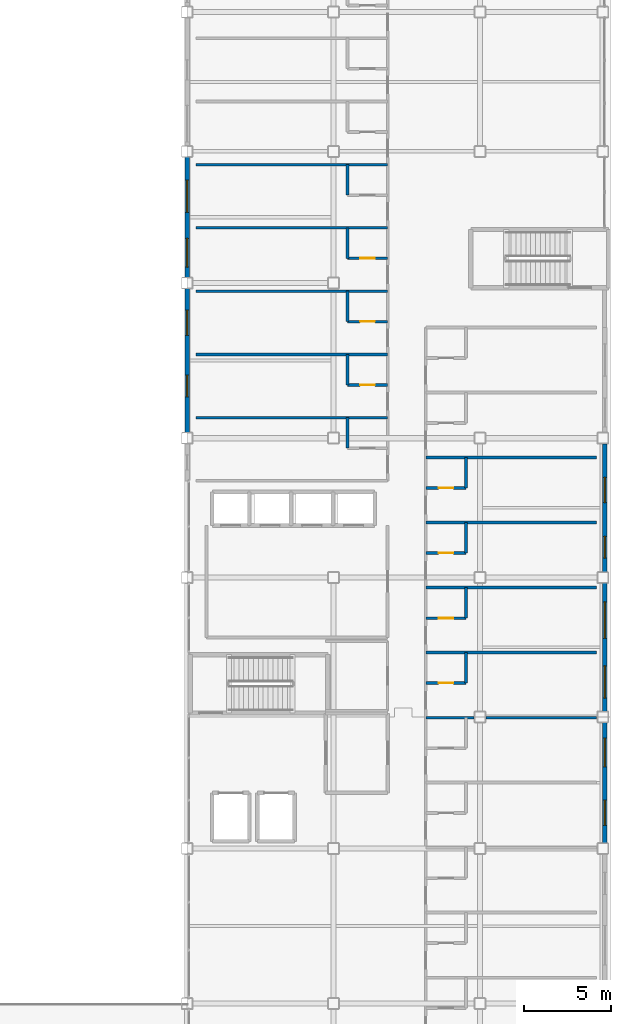
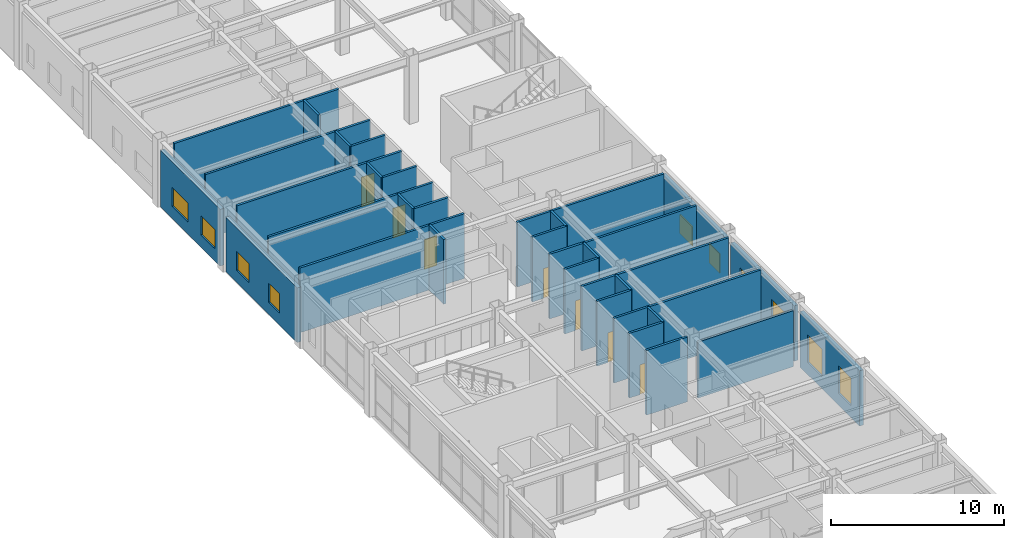
# One storey, part 53 of 61: 32 walls, 10 windows, 7 doors, 17 openings.
"""IFC4 building model written with IfcOpenShell, lengths in metres."""

from ifc_helpers import new_model, si_unit, direction, frame, frame_2d, origin, place, context, subcontext, project, spatial, rectangle, extrude, material, layer, layer_set, type_object, element, fill, save


model = new_model("IFC4")

# Units and contexts
model_context = context("Model", 3, precision=1e-05, world=origin(), true_north=direction((0.0, 1.0)))
body_context = subcontext(model_context, "Body", "Model", "MODEL_VIEW")
ifc_project = project(units=[si_unit("LENGTHUNIT", "METRE"), si_unit("AREAUNIT", "SQUARE_METRE"), si_unit("VOLUMEUNIT", "CUBIC_METRE"), si_unit("PLANEANGLEUNIT", "RADIAN"), si_unit("MASSUNIT", "GRAM", prefix="KILO")], contexts=[model_context])

# Site, building, storey
site_placement = place(None, origin())
site = spatial("IfcSite", under=ifc_project, at=site_placement, CompositionType="ELEMENT")
building_placement = place(site_placement, origin())
building = spatial("IfcBuilding", under=site, at=building_placement, Name="Kazehara Bluff Congress Hotel", CompositionType="ELEMENT")
storey_placement = place(building_placement, frame((0.0, 0.0, 19.800048828125)))
storey = spatial("IfcBuildingStorey", under=building, at=storey_placement, Name="L04", CompositionType="ELEMENT", Elevation=19.800048828125)

# Wall, openings, windows
ifc_material_1 = material(Name="Precast concrete C40/50", Category="concrete")
ifc_layer_1 = layer(ifc_material_1, 0.260009765625)
ifc_layer_set_1 = layer_set([ifc_layer_1], Name="Precast concrete C40/50")
wall_type_1 = type_object("IfcWallType", Name="TP-EW-260", PredefinedType="SOLIDWALL", material=ifc_layer_set_1)
wall_1_placement = place(storey_placement, frame((167.64990234375, 48.125, 0.0), z_axis=(0.0, 0.0, 1.0), x_axis=(0.0, -1.0, 0.0)))
wall_1 = element("IfcWall", 1, at=wall_1_placement, inside=storey, type_object=wall_type_1, Name="L04 hotel facade panel 29", PredefinedType="SOLIDWALL", context=body_context, shape_type="SweptSolid", body=[
    extrude(rectangle(XDim=6.89990234375, YDim=0.260009765625, at=frame_2d((3.449951171875, 0.0))), origin(), (0.0, 0.0, 1.0), 3.905029296875),
])
opening_1_placement = place(wall_1_placement, frame((4.445068359375, 0.0, 0.85009765625)))
opening_1 = element("IfcOpeningElement", 2, at=opening_1_placement, cuts=wall_1, Name="Opening WN-20", PredefinedType="OPENING", context=body_context, shape_type="SweptSolid", body=[
    extrude(rectangle(XDim=1.449951171875, YDim=1.949951171875, at=frame_2d((0.72509765625, 0.97509765625))), frame((0.0, 0.139892578125, 0.0), z_axis=(0.0, -1.0, 0.0), x_axis=(1.0, 0.0, 0.0)), (0.0, 0.0, 1.0), 0.280029296875),
])
opening_2_placement = place(wall_1_placement, frame((0.89501953125, 0.0, 0.85009765625)))
opening_2 = element("IfcOpeningElement", 3, at=opening_2_placement, cuts=wall_1, Name="Opening WN-30", PredefinedType="OPENING", context=body_context, shape_type="SweptSolid", body=[
    extrude(rectangle(XDim=1.64990234375, YDim=1.949951171875, at=frame_2d((0.824951171875, 0.97509765625))), frame((0.0, 0.139892578125, 0.0), z_axis=(0.0, -1.0, 0.0), x_axis=(1.0, 0.0, 0.0)), (0.0, 0.0, 1.0), 0.280029296875),
])
ifc_material_2 = material(Name="Insulated low-E double glazing", Category="glass")
window_type_1 = type_object("IfcWindowType", Name="TP-WN-20", PartitioningType="SINGLE_PANEL", PredefinedType="WINDOW", material=ifc_material_2)
window_1_placement = place(opening_1_placement, origin())
window_1 = element("IfcWindow", 4, at=window_1_placement, inside=storey, type_object=window_type_1, Name="L04 guestroom window WN-20 41", OverallHeight=1.949951171875, OverallWidth=1.449951171875, PartitioningType="SINGLE_PANEL", PredefinedType="WINDOW", context=body_context, shape_type="SweptSolid", body=[
    extrude(rectangle(XDim=1.449951171875, YDim=1.949951171875, at=frame_2d((0.72509765625, 0.97509765625))), frame((0.0, 0.030029296875, 0.0), z_axis=(0.0, -1.0, 0.0), x_axis=(1.0, 0.0, 0.0)), (0.0, 0.0, 1.0), 0.06005859375),
])
fill(opening_1, window_1)
ifc_material_3 = material(Name="Insulated low-E double glazing", Category="glass")
window_type_2 = type_object("IfcWindowType", Name="TP-WN-30", PartitioningType="SINGLE_PANEL", PredefinedType="WINDOW", material=ifc_material_3)
window_2_placement = place(opening_2_placement, origin())
window_2 = element("IfcWindow", 5, at=window_2_placement, inside=storey, type_object=window_type_2, Name="L04 guestroom window WN-30 42", OverallHeight=1.949951171875, OverallWidth=1.64990234375, PartitioningType="SINGLE_PANEL", PredefinedType="WINDOW", context=body_context, shape_type="SweptSolid", body=[
    extrude(rectangle(XDim=1.64990234375, YDim=1.949951171875, at=frame_2d((0.824951171875, 0.97509765625))), frame((0.0, 0.030029296875, 0.0), z_axis=(0.0, -1.0, 0.0), x_axis=(1.0, 0.0, 0.0)), (0.0, 0.0, 1.0), 0.06005859375),
])
fill(opening_2, window_2)

wall_2_placement = place(storey_placement, frame((167.64990234375, 56.125, 0.0), z_axis=(0.0, 0.0, 1.0), x_axis=(0.0, -1.0, 0.0)))
wall_2 = element("IfcWall", 6, at=wall_2_placement, inside=storey, type_object=wall_type_1, Name="L04 hotel facade panel 30", PredefinedType="SOLIDWALL", context=body_context, shape_type="SweptSolid", body=[
    extrude(rectangle(XDim=7.35009765625, YDim=0.260009765625, at=frame_2d((3.675048828125, 0.0))), origin(), (0.0, 0.0, 1.0), 3.905029296875),
])
opening_3_placement = place(wall_2_placement, frame((4.739990234375, 0.0, 0.85009765625)))
opening_3 = element("IfcOpeningElement", 7, at=opening_3_placement, cuts=wall_2, Name="Opening WN-40", PredefinedType="OPENING", context=body_context, shape_type="SweptSolid", body=[
    extrude(rectangle(XDim=1.85009765625, YDim=1.949951171875, at=frame_2d((0.925048828125, 0.97509765625))), frame((0.0, 0.139892578125, 0.0), z_axis=(0.0, -1.0, 0.0), x_axis=(1.0, 0.0, 0.0)), (0.0, 0.0, 1.0), 0.280029296875),
])
opening_4_placement = place(wall_2_placement, frame((1.06494140625, 0.0, 0.85009765625)))
opening_4 = element("IfcOpeningElement", 8, at=opening_4_placement, cuts=wall_2, Name="Opening WN-50", PredefinedType="OPENING", context=body_context, shape_type="SweptSolid", body=[
    extrude(rectangle(XDim=2.10009765625, YDim=1.949951171875, at=frame_2d((1.050048828125, 0.97509765625))), frame((0.0, 0.139892578125, 0.0), z_axis=(0.0, -1.0, 0.0), x_axis=(1.0, 0.0, 0.0)), (0.0, 0.0, 1.0), 0.280029296875),
])
ifc_material_4 = material(Name="Insulated low-E double glazing", Category="glass")
window_type_3 = type_object("IfcWindowType", Name="TP-WN-40", PartitioningType="DOUBLE_PANEL_VERTICAL", PredefinedType="WINDOW", material=ifc_material_4)
window_3_placement = place(opening_3_placement, origin())
window_3 = element("IfcWindow", 9, at=window_3_placement, inside=storey, type_object=window_type_3, Name="L04 guestroom window WN-40 43", OverallHeight=1.949951171875, OverallWidth=1.85009765625, PartitioningType="SINGLE_PANEL", PredefinedType="WINDOW", context=body_context, shape_type="SweptSolid", body=[
    extrude(rectangle(XDim=1.85009765625, YDim=1.949951171875, at=frame_2d((0.925048828125, 0.97509765625))), frame((0.0, 0.030029296875, 0.0), z_axis=(0.0, -1.0, 0.0), x_axis=(1.0, 0.0, 0.0)), (0.0, 0.0, 1.0), 0.06005859375),
])
fill(opening_3, window_3)
ifc_material_5 = material(Name="Insulated low-E double glazing", Category="glass")
window_type_4 = type_object("IfcWindowType", Name="TP-WN-50", PartitioningType="DOUBLE_PANEL_VERTICAL", PredefinedType="WINDOW", material=ifc_material_5)
window_4_placement = place(opening_4_placement, origin())
window_4 = element("IfcWindow", 10, at=window_4_placement, inside=storey, type_object=window_type_4, Name="L04 guestroom window WN-50 44", OverallHeight=1.949951171875, OverallWidth=2.10009765625, PartitioningType="SINGLE_PANEL", PredefinedType="WINDOW", context=body_context, shape_type="SweptSolid", body=[
    extrude(rectangle(XDim=2.10009765625, YDim=1.949951171875, at=frame_2d((1.050048828125, 0.97509765625))), frame((0.0, 0.030029296875, 0.0), z_axis=(0.0, -1.0, 0.0), x_axis=(1.0, 0.0, 0.0)), (0.0, 0.0, 1.0), 0.06005859375),
])
fill(opening_4, window_4)

wall_3_placement = place(storey_placement, frame((167.64990234375, 64.125, 0.0), z_axis=(0.0, 0.0, 1.0), x_axis=(0.0, -1.0, 0.0)))
wall_3 = element("IfcWall", 11, at=wall_3_placement, inside=storey, type_object=wall_type_1, Name="L04 hotel facade panel 31", PredefinedType="SOLIDWALL", context=body_context, shape_type="SweptSolid", body=[
    extrude(rectangle(XDim=7.35009765625, YDim=0.260009765625, at=frame_2d((3.675048828125, 0.0))), origin(), (0.0, 0.0, 1.0), 3.905029296875),
])
opening_5_placement = place(wall_3_placement, frame((5.31005859375, 0.0, 0.85009765625)))
opening_5 = element("IfcOpeningElement", 12, at=opening_5_placement, cuts=wall_3, Name="Opening WN-06", PredefinedType="OPENING", context=body_context, shape_type="SweptSolid", body=[
    extrude(rectangle(XDim=1.25, YDim=1.35009765625, at=frame_2d((0.625, 0.675048828125))), frame((0.0, 0.139892578125, 0.0), z_axis=(0.0, -1.0, 0.0), x_axis=(1.0, 0.0, 0.0)), (0.0, 0.0, 1.0), 0.280029296875),
])
opening_6_placement = place(wall_3_placement, frame((1.925048828125, 0.0, 0.85009765625)))
opening_6 = element("IfcOpeningElement", 13, at=opening_6_placement, cuts=wall_3, Name="Opening WN-16", PredefinedType="OPENING", context=body_context, shape_type="SweptSolid", body=[
    extrude(rectangle(XDim=1.449951171875, YDim=1.35009765625, at=frame_2d((0.72509765625, 0.675048828125))), frame((0.0, 0.139892578125, 0.0), z_axis=(0.0, -1.0, 0.0), x_axis=(1.0, 0.0, 0.0)), (0.0, 0.0, 1.0), 0.280029296875),
])
ifc_material_6 = material(Name="Insulated low-E double glazing", Category="glass")
window_type_5 = type_object("IfcWindowType", Name="TP-WN-06", PartitioningType="SINGLE_PANEL", PredefinedType="WINDOW", material=ifc_material_6)
window_5_placement = place(opening_5_placement, origin())
window_5 = element("IfcWindow", 14, at=window_5_placement, inside=storey, type_object=window_type_5, Name="L04 guestroom window WN-06 45", OverallHeight=1.35009765625, OverallWidth=1.25, PartitioningType="SINGLE_PANEL", PredefinedType="WINDOW", context=body_context, shape_type="SweptSolid", body=[
    extrude(rectangle(XDim=1.25, YDim=1.35009765625, at=frame_2d((0.625, 0.675048828125))), frame((0.0, 0.030029296875, 0.0), z_axis=(0.0, -1.0, 0.0), x_axis=(1.0, 0.0, 0.0)), (0.0, 0.0, 1.0), 0.06005859375),
])
fill(opening_5, window_5)
ifc_material_7 = material(Name="Insulated low-E double glazing", Category="glass")
window_type_6 = type_object("IfcWindowType", Name="TP-WN-16", PartitioningType="SINGLE_PANEL", PredefinedType="WINDOW", material=ifc_material_7)
window_6_placement = place(opening_6_placement, origin())
window_6 = element("IfcWindow", 15, at=window_6_placement, inside=storey, type_object=window_type_6, Name="L04 guestroom window WN-16 46", OverallHeight=1.35009765625, OverallWidth=1.449951171875, PartitioningType="SINGLE_PANEL", PredefinedType="WINDOW", context=body_context, shape_type="SweptSolid", body=[
    extrude(rectangle(XDim=1.449951171875, YDim=1.35009765625, at=frame_2d((0.72509765625, 0.675048828125))), frame((0.0, 0.030029296875, 0.0), z_axis=(0.0, -1.0, 0.0), x_axis=(1.0, 0.0, 0.0)), (0.0, 0.0, 1.0), 0.06005859375),
])
fill(opening_6, window_6)

wall_4_placement = place(storey_placement, frame((143.699951171875, 64.77490234375, 0.0), z_axis=(0.0, 0.0, 1.0), x_axis=(0.0, 1.0, 0.0)))
wall_4 = element("IfcWall", 16, at=wall_4_placement, inside=storey, type_object=wall_type_1, Name="L04 hotel facade panel 36", PredefinedType="SOLIDWALL", context=body_context, shape_type="SweptSolid", body=[
    extrude(rectangle(XDim=8.25, YDim=0.260009765625, at=frame_2d((4.125, 0.0))), origin(), (0.0, 0.0, 1.0), 3.85498046875),
])
opening_7_placement = place(wall_4_placement, frame((2.0400390625, 0.0, 0.85009765625)))
opening_7 = element("IfcOpeningElement", 17, at=opening_7_placement, cuts=wall_4, Name="Opening WN-06", PredefinedType="OPENING", context=body_context, shape_type="SweptSolid", body=[
    extrude(rectangle(XDim=1.25, YDim=1.35009765625, at=frame_2d((0.625, 0.675048828125))), frame((0.0, 0.139892578125, 0.0), z_axis=(0.0, -1.0, 0.0), x_axis=(1.0, 0.0, 0.0)), (0.0, 0.0, 1.0), 0.280029296875),
])
opening_8_placement = place(wall_4_placement, frame((5.570068359375, 0.0, 0.85009765625)))
opening_8 = element("IfcOpeningElement", 18, at=opening_8_placement, cuts=wall_4, Name="Opening WN-16", PredefinedType="OPENING", context=body_context, shape_type="SweptSolid", body=[
    extrude(rectangle(XDim=1.449951171875, YDim=1.35009765625, at=frame_2d((0.72509765625, 0.675048828125))), frame((0.0, 0.139892578125, 0.0), z_axis=(0.0, -1.0, 0.0), x_axis=(1.0, 0.0, 0.0)), (0.0, 0.0, 1.0), 0.280029296875),
])
window_7_placement = place(opening_7_placement, origin())
window_7 = element("IfcWindow", 19, at=window_7_placement, inside=storey, type_object=window_type_5, Name="L04 guestroom window WN-06 54", OverallHeight=1.35009765625, OverallWidth=1.25, PartitioningType="SINGLE_PANEL", PredefinedType="WINDOW", context=body_context, shape_type="SweptSolid", body=[
    extrude(rectangle(XDim=1.25, YDim=1.35009765625, at=frame_2d((0.625, 0.675048828125))), frame((0.0, 0.030029296875, 0.0), z_axis=(0.0, -1.0, 0.0), x_axis=(1.0, 0.0, 0.0)), (0.0, 0.0, 1.0), 0.06005859375),
])
fill(opening_7, window_7)
window_8_placement = place(opening_8_placement, origin())
window_8 = element("IfcWindow", 20, at=window_8_placement, inside=storey, type_object=window_type_6, Name="L04 guestroom window WN-16 55", OverallHeight=1.35009765625, OverallWidth=1.449951171875, PartitioningType="SINGLE_PANEL", PredefinedType="WINDOW", context=body_context, shape_type="SweptSolid", body=[
    extrude(rectangle(XDim=1.449951171875, YDim=1.35009765625, at=frame_2d((0.72509765625, 0.675048828125))), frame((0.0, 0.030029296875, 0.0), z_axis=(0.0, -1.0, 0.0), x_axis=(1.0, 0.0, 0.0)), (0.0, 0.0, 1.0), 0.06005859375),
])
fill(opening_8, window_8)

wall_5_placement = place(storey_placement, frame((143.699951171875, 73.675048828125, 0.0), z_axis=(0.0, 0.0, 1.0), x_axis=(0.0, 1.0, 0.0)))
wall_5 = element("IfcWall", 21, at=wall_5_placement, inside=storey, type_object=wall_type_1, Name="L04 hotel facade panel 37", PredefinedType="SOLIDWALL", context=body_context, shape_type="SweptSolid", body=[
    extrude(rectangle(XDim=6.89990234375, YDim=0.260009765625, at=frame_2d((3.449951171875, 0.0))), origin(), (0.0, 0.0, 1.0), 4.0048828125),
])
opening_9_placement = place(wall_5_placement, frame((0.594970703125, 0.0, 0.85009765625)))
opening_9 = element("IfcOpeningElement", 22, at=opening_9_placement, cuts=wall_5, Name="Opening WN-26", PredefinedType="OPENING", context=body_context, shape_type="SweptSolid", body=[
    extrude(rectangle(XDim=1.64990234375, YDim=1.35009765625, at=frame_2d((0.824951171875, 0.675048828125))), frame((0.0, 0.139892578125, 0.0), z_axis=(0.0, -1.0, 0.0), x_axis=(1.0, 0.0, 0.0)), (0.0, 0.0, 1.0), 0.280029296875),
])
opening_10_placement = place(wall_5_placement, frame((3.72998046875, 0.0, 0.85009765625)))
opening_10 = element("IfcOpeningElement", 23, at=opening_10_placement, cuts=wall_5, Name="Opening WN-36", PredefinedType="OPENING", context=body_context, shape_type="SweptSolid", body=[
    extrude(rectangle(XDim=1.85009765625, YDim=1.35009765625, at=frame_2d((0.925048828125, 0.675048828125))), frame((0.0, 0.139892578125, 0.0), z_axis=(0.0, -1.0, 0.0), x_axis=(1.0, 0.0, 0.0)), (0.0, 0.0, 1.0), 0.280029296875),
])
ifc_material_8 = material(Name="Insulated low-E double glazing", Category="glass")
window_type_7 = type_object("IfcWindowType", Name="TP-WN-26", PartitioningType="SINGLE_PANEL", PredefinedType="WINDOW", material=ifc_material_8)
window_9_placement = place(opening_9_placement, origin())
window_9 = element("IfcWindow", 24, at=window_9_placement, inside=storey, type_object=window_type_7, Name="L04 guestroom window WN-26 56", OverallHeight=1.35009765625, OverallWidth=1.64990234375, PartitioningType="SINGLE_PANEL", PredefinedType="WINDOW", context=body_context, shape_type="SweptSolid", body=[
    extrude(rectangle(XDim=1.64990234375, YDim=1.35009765625, at=frame_2d((0.824951171875, 0.675048828125))), frame((0.0, 0.030029296875, 0.0), z_axis=(0.0, -1.0, 0.0), x_axis=(1.0, 0.0, 0.0)), (0.0, 0.0, 1.0), 0.06005859375),
])
fill(opening_9, window_9)
ifc_material_9 = material(Name="Insulated low-E double glazing", Category="glass")
window_type_8 = type_object("IfcWindowType", Name="TP-WN-36", PartitioningType="DOUBLE_PANEL_VERTICAL", PredefinedType="WINDOW", material=ifc_material_9)
window_10_placement = place(opening_10_placement, origin())
window_10 = element("IfcWindow", 25, at=window_10_placement, inside=storey, type_object=window_type_8, Name="L04 guestroom window WN-36 57", OverallHeight=1.35009765625, OverallWidth=1.85009765625, PartitioningType="SINGLE_PANEL", PredefinedType="WINDOW", context=body_context, shape_type="SweptSolid", body=[
    extrude(rectangle(XDim=1.85009765625, YDim=1.35009765625, at=frame_2d((0.925048828125, 0.675048828125))), frame((0.0, 0.030029296875, 0.0), z_axis=(0.0, -1.0, 0.0), x_axis=(1.0, 0.0, 0.0)), (0.0, 0.0, 1.0), 0.06005859375),
])
fill(opening_10, window_10)

# Walls
ifc_material_10 = material(Name="Fire-rated gypsum board stud partition")
ifc_layer_2 = layer(ifc_material_10, 0.14990234375)
ifc_layer_set_2 = layer_set([ifc_layer_2], Name="Fire-rated gypsum board stud partition")
wall_type_2 = type_object("IfcWallType", Name="TP-PT-150", PredefinedType="PARTITIONING", material=ifc_layer_set_2)
wall_6_placement = place(storey_placement, frame((157.39990234375, 48.409912109375, 0.0), z_axis=(0.0, 0.0, 1.0), x_axis=(1.0, 0.0, 0.0)))
element("IfcWall", 26, at=wall_6_placement, inside=storey, type_object=wall_type_2, Name="L04 partition PT-150 407", PredefinedType="PARTITIONING", context=body_context, shape_type="SweptSolid", body=[
    extrude(rectangle(XDim=2.755126953125, YDim=0.14990234375, at=frame_2d((1.37744140625, 0.0))), origin(), (0.0, 0.0, 1.0), 4.56494140625),
])
wall_7_placement = place(storey_placement, frame((160.844970703125, 48.409912109375, 0.0), z_axis=(0.0, 0.0, 1.0), x_axis=(1.0, 0.0, 0.0)))
element("IfcWall", 27, at=wall_7_placement, inside=storey, type_object=wall_type_2, Name="L04 partition PT-150 408", PredefinedType="PARTITIONING", context=body_context, shape_type="SweptSolid", body=[
    extrude(rectangle(XDim=6.35498046875, YDim=0.14990234375, at=frame_2d((3.177490234375, 0.0))), origin(), (0.0, 0.0, 1.0), 3.954833984375),
])

# Wall, opening, door
wall_8_placement = place(storey_placement, frame((157.39990234375, 50.39990234375, 0.0), z_axis=(0.0, 0.0, 1.0), x_axis=(1.0, 0.0, 0.0)))
wall_8 = element("IfcWall", 28, at=wall_8_placement, inside=storey, type_object=wall_type_2, Name="L04 partition PT-150 411", PredefinedType="PARTITIONING", context=body_context, shape_type="SweptSolid", body=[
    extrude(rectangle(XDim=2.300048828125, YDim=0.14990234375, at=frame_2d((1.14990234375, 0.0))), origin(), (0.0, 0.0, 1.0), 4.56494140625),
])
opening_11_placement = place(wall_8_placement, frame((0.72509765625, 0.0, 0.0)))
opening_11 = element("IfcOpeningElement", 29, at=opening_11_placement, cuts=wall_8, Name="Opening BD-01", PredefinedType="OPENING", context=body_context, shape_type="SweptSolid", body=[
    extrude(rectangle(XDim=0.85009765625, YDim=2.10009765625, at=frame_2d((0.425048828125, 1.050048828125))), frame((0.0, 0.0849609375, 0.0), z_axis=(0.0, -1.0, 0.0), x_axis=(1.0, 0.0, 0.0)), (0.0, 0.0, 1.0), 0.169921875),
])
ifc_material_11 = material(Name="Architectural oak veneer leaf")
door_type = type_object("IfcDoorType", Name="TP-BD-01", OperationType="NOTDEFINED", PredefinedType="DOOR", material=ifc_material_11)
door_1_placement = place(opening_11_placement, origin())
door_1 = element("IfcDoor", 30, at=door_1_placement, inside=storey, type_object=door_type, Name="L04 En-suite Bathroom 61 door", OperationType="SINGLE_SWING_LEFT", OverallHeight=2.10009765625, OverallWidth=0.85009765625, PredefinedType="DOOR", context=body_context, shape_type="SweptSolid", body=[
    extrude(rectangle(XDim=0.85009765625, YDim=2.10009765625, at=frame_2d((0.425048828125, 1.050048828125))), frame((0.0, 0.02490234375, 0.0), z_axis=(0.0, -1.0, 0.0), x_axis=(1.0, 0.0, 0.0)), (0.0, 0.0, 1.0), 0.050048828125),
])
fill(opening_11, door_1)

# Wall
wall_9_placement = place(storey_placement, frame((157.39990234375, 52.14990234375, 0.0), z_axis=(0.0, 0.0, 1.0), x_axis=(1.0, 0.0, 0.0)))
element("IfcWall", 31, at=wall_9_placement, inside=storey, type_object=wall_type_2, Name="L04 partition PT-150 412", PredefinedType="PARTITIONING", context=body_context, shape_type="SweptSolid", body=[
    extrude(rectangle(XDim=9.800048828125, YDim=0.14990234375, at=frame_2d((4.89990234375, 0.0))), origin(), (0.0, 0.0, 1.0), 4.56494140625),
])

# Wall, opening, door
wall_10_placement = place(storey_placement, frame((157.39990234375, 54.1201171875, 0.0), z_axis=(0.0, 0.0, 1.0), x_axis=(1.0, 0.0, 0.0)))
wall_10 = element("IfcWall", 32, at=wall_10_placement, inside=storey, type_object=wall_type_2, Name="L04 partition PT-150 415", PredefinedType="PARTITIONING", context=body_context, shape_type="SweptSolid", body=[
    extrude(rectangle(XDim=2.300048828125, YDim=0.14990234375, at=frame_2d((1.14990234375, 0.0))), origin(), (0.0, 0.0, 1.0), 4.56494140625),
])
opening_12_placement = place(wall_10_placement, frame((0.72509765625, 0.0, 0.0)))
opening_12 = element("IfcOpeningElement", 33, at=opening_12_placement, cuts=wall_10, Name="Opening BD-01", PredefinedType="OPENING", context=body_context, shape_type="SweptSolid", body=[
    extrude(rectangle(XDim=0.85009765625, YDim=2.10009765625, at=frame_2d((0.425048828125, 1.050048828125))), frame((0.0, 0.0849609375, 0.0), z_axis=(0.0, -1.0, 0.0), x_axis=(1.0, 0.0, 0.0)), (0.0, 0.0, 1.0), 0.169921875),
])
door_2_placement = place(opening_12_placement, origin())
door_2 = element("IfcDoor", 34, at=door_2_placement, inside=storey, type_object=door_type, Name="L04 En-suite Bathroom 62 door", OperationType="SINGLE_SWING_LEFT", OverallHeight=2.10009765625, OverallWidth=0.85009765625, PredefinedType="DOOR", context=body_context, shape_type="SweptSolid", body=[
    extrude(rectangle(XDim=0.85009765625, YDim=2.10009765625, at=frame_2d((0.425048828125, 1.050048828125))), frame((0.0, 0.02490234375, 0.0), z_axis=(0.0, -1.0, 0.0), x_axis=(1.0, 0.0, 0.0)), (0.0, 0.0, 1.0), 0.050048828125),
])
fill(opening_12, door_2)

# Wall
wall_11_placement = place(storey_placement, frame((157.39990234375, 55.8798828125, 0.0), z_axis=(0.0, 0.0, 1.0), x_axis=(1.0, 0.0, 0.0)))
element("IfcWall", 35, at=wall_11_placement, inside=storey, type_object=wall_type_2, Name="L04 partition PT-150 417", PredefinedType="PARTITIONING", context=body_context, shape_type="SweptSolid", body=[
    extrude(rectangle(XDim=9.800048828125, YDim=0.14990234375, at=frame_2d((4.89990234375, 0.0))), origin(), (0.0, 0.0, 1.0), 4.56494140625),
])

# Wall, opening, door
wall_12_placement = place(storey_placement, frame((157.39990234375, 57.860107421875, 0.0), z_axis=(0.0, 0.0, 1.0), x_axis=(1.0, 0.0, 0.0)))
wall_12 = element("IfcWall", 36, at=wall_12_placement, inside=storey, type_object=wall_type_2, Name="L04 partition PT-150 418", PredefinedType="PARTITIONING", context=body_context, shape_type="SweptSolid", body=[
    extrude(rectangle(XDim=2.300048828125, YDim=0.14990234375, at=frame_2d((1.14990234375, 0.0))), origin(), (0.0, 0.0, 1.0), 4.56494140625),
])
opening_13_placement = place(wall_12_placement, frame((0.72509765625, 0.0, 0.0)))
opening_13 = element("IfcOpeningElement", 37, at=opening_13_placement, cuts=wall_12, Name="Opening BD-01", PredefinedType="OPENING", context=body_context, shape_type="SweptSolid", body=[
    extrude(rectangle(XDim=0.85009765625, YDim=2.10009765625, at=frame_2d((0.425048828125, 1.050048828125))), frame((0.0, 0.0849609375, 0.0), z_axis=(0.0, -1.0, 0.0), x_axis=(1.0, 0.0, 0.0)), (0.0, 0.0, 1.0), 0.169921875),
])
door_3_placement = place(opening_13_placement, origin())
door_3 = element("IfcDoor", 38, at=door_3_placement, inside=storey, type_object=door_type, Name="L04 En-suite Bathroom 63 door", OperationType="SINGLE_SWING_LEFT", OverallHeight=2.10009765625, OverallWidth=0.85009765625, PredefinedType="DOOR", context=body_context, shape_type="SweptSolid", body=[
    extrude(rectangle(XDim=0.85009765625, YDim=2.10009765625, at=frame_2d((0.425048828125, 1.050048828125))), frame((0.0, 0.02490234375, 0.0), z_axis=(0.0, -1.0, 0.0), x_axis=(1.0, 0.0, 0.0)), (0.0, 0.0, 1.0), 0.050048828125),
])
fill(opening_13, door_3)

# Wall
wall_13_placement = place(storey_placement, frame((157.39990234375, 59.610107421875, 0.0), z_axis=(0.0, 0.0, 1.0), x_axis=(1.0, 0.0, 0.0)))
element("IfcWall", 39, at=wall_13_placement, inside=storey, type_object=wall_type_2, Name="L04 partition PT-150 419", PredefinedType="PARTITIONING", context=body_context, shape_type="SweptSolid", body=[
    extrude(rectangle(XDim=9.800048828125, YDim=0.14990234375, at=frame_2d((4.89990234375, 0.0))), origin(), (0.0, 0.0, 1.0), 4.56494140625),
])

# Wall, opening, door
wall_14_placement = place(storey_placement, frame((157.39990234375, 61.590087890625, 0.0), z_axis=(0.0, 0.0, 1.0), x_axis=(1.0, 0.0, 0.0)))
wall_14 = element("IfcWall", 40, at=wall_14_placement, inside=storey, type_object=wall_type_2, Name="L04 partition PT-150 420", PredefinedType="PARTITIONING", context=body_context, shape_type="SweptSolid", body=[
    extrude(rectangle(XDim=2.300048828125, YDim=0.14990234375, at=frame_2d((1.14990234375, 0.0))), origin(), (0.0, 0.0, 1.0), 4.56494140625),
])
opening_14_placement = place(wall_14_placement, frame((0.72509765625, 0.0, 0.0)))
opening_14 = element("IfcOpeningElement", 41, at=opening_14_placement, cuts=wall_14, Name="Opening BD-01", PredefinedType="OPENING", context=body_context, shape_type="SweptSolid", body=[
    extrude(rectangle(XDim=0.85009765625, YDim=2.10009765625, at=frame_2d((0.425048828125, 1.050048828125))), frame((0.0, 0.0849609375, 0.0), z_axis=(0.0, -1.0, 0.0), x_axis=(1.0, 0.0, 0.0)), (0.0, 0.0, 1.0), 0.169921875),
])
door_4_placement = place(opening_14_placement, origin())
door_4 = element("IfcDoor", 42, at=door_4_placement, inside=storey, type_object=door_type, Name="L04 En-suite Bathroom 64 door", OperationType="SINGLE_SWING_LEFT", OverallHeight=2.10009765625, OverallWidth=0.85009765625, PredefinedType="DOOR", context=body_context, shape_type="SweptSolid", body=[
    extrude(rectangle(XDim=0.85009765625, YDim=2.10009765625, at=frame_2d((0.425048828125, 1.050048828125))), frame((0.0, 0.02490234375, 0.0), z_axis=(0.0, -1.0, 0.0), x_axis=(1.0, 0.0, 0.0)), (0.0, 0.0, 1.0), 0.050048828125),
])
fill(opening_14, door_4)

# Walls
wall_15_placement = place(storey_placement, frame((157.39990234375, 63.340087890625, 0.0), z_axis=(0.0, 0.0, 1.0), x_axis=(1.0, 0.0, 0.0)))
element("IfcWall", 43, at=wall_15_placement, inside=storey, type_object=wall_type_2, Name="L04 partition PT-150 422", PredefinedType="PARTITIONING", context=body_context, shape_type="SweptSolid", body=[
    extrude(rectangle(XDim=9.800048828125, YDim=0.14990234375, at=frame_2d((4.89990234375, 0.0))), origin(), (0.0, 0.0, 1.0), 4.56494140625),
])
wall_16_placement = place(storey_placement, frame((144.199951171875, 65.6298828125, 0.0), z_axis=(0.0, 0.0, 1.0), x_axis=(1.0, 0.0, 0.0)))
element("IfcWall", 44, at=wall_16_placement, inside=storey, type_object=wall_type_2, Name="L04 partition PT-150 425", PredefinedType="PARTITIONING", context=body_context, shape_type="SweptSolid", body=[
    extrude(rectangle(XDim=11.0, YDim=0.14990234375, at=frame_2d((5.5, 0.0))), origin(), (0.0, 0.0, 1.0), 4.56494140625),
])

# Wall, opening, door
wall_17_placement = place(storey_placement, frame((152.89990234375, 67.5, 0.0), z_axis=(0.0, 0.0, 1.0), x_axis=(1.0, 0.0, 0.0)))
wall_17 = element("IfcWall", 45, at=wall_17_placement, inside=storey, type_object=wall_type_2, Name="L04 partition PT-150 427", PredefinedType="PARTITIONING", context=body_context, shape_type="SweptSolid", body=[
    extrude(rectangle(XDim=2.300048828125, YDim=0.14990234375, at=frame_2d((1.14990234375, 0.0))), origin(), (0.0, 0.0, 1.0), 4.56494140625),
])
opening_15_placement = place(wall_17_placement, frame((0.72509765625, 0.0, 0.0)))
opening_15 = element("IfcOpeningElement", 46, at=opening_15_placement, cuts=wall_17, Name="Opening BD-01", PredefinedType="OPENING", context=body_context, shape_type="SweptSolid", body=[
    extrude(rectangle(XDim=0.85009765625, YDim=2.10009765625, at=frame_2d((0.425048828125, 1.050048828125))), frame((0.0, 0.0849609375, 0.0), z_axis=(0.0, -1.0, 0.0), x_axis=(1.0, 0.0, 0.0)), (0.0, 0.0, 1.0), 0.169921875),
])
door_5_placement = place(opening_15_placement, origin())
door_5 = element("IfcDoor", 47, at=door_5_placement, inside=storey, type_object=door_type, Name="L04 En-suite Bathroom 36 door", OperationType="SINGLE_SWING_LEFT", OverallHeight=2.10009765625, OverallWidth=0.85009765625, PredefinedType="DOOR", context=body_context, shape_type="SweptSolid", body=[
    extrude(rectangle(XDim=0.85009765625, YDim=2.10009765625, at=frame_2d((0.425048828125, 1.050048828125))), frame((0.0, 0.02490234375, 0.0), z_axis=(0.0, -1.0, 0.0), x_axis=(1.0, 0.0, 0.0)), (0.0, 0.0, 1.0), 0.050048828125),
])
fill(opening_15, door_5)

# Wall
wall_18_placement = place(storey_placement, frame((144.199951171875, 69.25, 0.0), z_axis=(0.0, 0.0, 1.0), x_axis=(1.0, 0.0, 0.0)))
element("IfcWall", 48, at=wall_18_placement, inside=storey, type_object=wall_type_2, Name="L04 partition PT-150 429", PredefinedType="PARTITIONING", context=body_context, shape_type="SweptSolid", body=[
    extrude(rectangle(XDim=11.0, YDim=0.14990234375, at=frame_2d((5.5, 0.0))), origin(), (0.0, 0.0, 1.0), 4.56494140625),
])

# Wall, opening, door
wall_19_placement = place(storey_placement, frame((152.89990234375, 71.139892578125, 0.0), z_axis=(0.0, 0.0, 1.0), x_axis=(1.0, 0.0, 0.0)))
wall_19 = element("IfcWall", 49, at=wall_19_placement, inside=storey, type_object=wall_type_2, Name="L04 partition PT-150 431", PredefinedType="PARTITIONING", context=body_context, shape_type="SweptSolid", body=[
    extrude(rectangle(XDim=2.300048828125, YDim=0.14990234375, at=frame_2d((1.14990234375, 0.0))), origin(), (0.0, 0.0, 1.0), 4.56494140625),
])
opening_16_placement = place(wall_19_placement, frame((0.72509765625, 0.0, 0.0)))
opening_16 = element("IfcOpeningElement", 50, at=opening_16_placement, cuts=wall_19, Name="Opening BD-01", PredefinedType="OPENING", context=body_context, shape_type="SweptSolid", body=[
    extrude(rectangle(XDim=0.85009765625, YDim=2.10009765625, at=frame_2d((0.425048828125, 1.050048828125))), frame((0.0, 0.0849609375, 0.0), z_axis=(0.0, -1.0, 0.0), x_axis=(1.0, 0.0, 0.0)), (0.0, 0.0, 1.0), 0.169921875),
])
door_6_placement = place(opening_16_placement, origin())
door_6 = element("IfcDoor", 51, at=door_6_placement, inside=storey, type_object=door_type, Name="L04 En-suite Bathroom 37 door", OperationType="SINGLE_SWING_LEFT", OverallHeight=2.10009765625, OverallWidth=0.85009765625, PredefinedType="DOOR", context=body_context, shape_type="SweptSolid", body=[
    extrude(rectangle(XDim=0.85009765625, YDim=2.10009765625, at=frame_2d((0.425048828125, 1.050048828125))), frame((0.0, 0.02490234375, 0.0), z_axis=(0.0, -1.0, 0.0), x_axis=(1.0, 0.0, 0.0)), (0.0, 0.0, 1.0), 0.050048828125),
])
fill(opening_16, door_6)

# Wall
wall_20_placement = place(storey_placement, frame((144.199951171875, 72.889892578125, 0.0), z_axis=(0.0, 0.0, 1.0), x_axis=(1.0, 0.0, 0.0)))
element("IfcWall", 52, at=wall_20_placement, inside=storey, type_object=wall_type_2, Name="L04 partition PT-150 432", PredefinedType="PARTITIONING", context=body_context, shape_type="SweptSolid", body=[
    extrude(rectangle(XDim=11.0, YDim=0.14990234375, at=frame_2d((5.5, 0.0))), origin(), (0.0, 0.0, 1.0), 4.56494140625),
])

# Wall, opening, door
wall_21_placement = place(storey_placement, frame((152.89990234375, 74.77001953125, 0.0), z_axis=(0.0, 0.0, 1.0), x_axis=(1.0, 0.0, 0.0)))
wall_21 = element("IfcWall", 53, at=wall_21_placement, inside=storey, type_object=wall_type_2, Name="L04 partition PT-150 433", PredefinedType="PARTITIONING", context=body_context, shape_type="SweptSolid", body=[
    extrude(rectangle(XDim=2.300048828125, YDim=0.14990234375, at=frame_2d((1.14990234375, 0.0))), origin(), (0.0, 0.0, 1.0), 4.56494140625),
])
opening_17_placement = place(wall_21_placement, frame((0.72509765625, 0.0, 0.0)))
opening_17 = element("IfcOpeningElement", 54, at=opening_17_placement, cuts=wall_21, Name="Opening BD-01", PredefinedType="OPENING", context=body_context, shape_type="SweptSolid", body=[
    extrude(rectangle(XDim=0.85009765625, YDim=2.10009765625, at=frame_2d((0.425048828125, 1.050048828125))), frame((0.0, 0.0849609375, 0.0), z_axis=(0.0, -1.0, 0.0), x_axis=(1.0, 0.0, 0.0)), (0.0, 0.0, 1.0), 0.169921875),
])
door_7_placement = place(opening_17_placement, origin())
door_7 = element("IfcDoor", 55, at=door_7_placement, inside=storey, type_object=door_type, Name="L04 En-suite Bathroom 38 door", OperationType="SINGLE_SWING_LEFT", OverallHeight=2.10009765625, OverallWidth=0.85009765625, PredefinedType="DOOR", context=body_context, shape_type="SweptSolid", body=[
    extrude(rectangle(XDim=0.85009765625, YDim=2.10009765625, at=frame_2d((0.425048828125, 1.050048828125))), frame((0.0, 0.02490234375, 0.0), z_axis=(0.0, -1.0, 0.0), x_axis=(1.0, 0.0, 0.0)), (0.0, 0.0, 1.0), 0.050048828125),
])
fill(opening_17, door_7)

# Walls
for number, where, z_axis, x_axis, name in (
    (56, (144.199951171875, 76.52001953125, 0.0), (0.0, 0.0, 1.0), (1.0, 0.0, 0.0), "L04 partition PT-150 434"),
    (57, (144.199951171875, 80.139892578125, 0.0), (0.0, 0.0, 1.0), (1.0, 0.0, 0.0), "L04 partition PT-150 436"),
):
    element("IfcWall", number, at=place(storey_placement, frame(where, z_axis=z_axis, x_axis=x_axis)), inside=storey, type_object=wall_type_2, Name=name, PredefinedType="PARTITIONING", context=body_context, shape_type="SweptSolid", body=[
        extrude(rectangle(XDim=11.0, YDim=0.14990234375, at=frame_2d((5.5, 0.0))), origin(), (0.0, 0.0, 1.0), 4.56494140625),
    ])
for number, where, z_axis, x_axis, name in (
    (58, (152.89990234375, 63.8798828125, 0.0), (0.0, 0.0, 1.0), (0.0, 1.0, 0.0), "L04 partition PT-150 465"),
    (59, (152.89990234375, 67.5048828125, 0.0), (0.0, 0.0, 1.0), (0.0, 1.0, 0.0), "L04 partition PT-150 466"),
    (60, (152.89990234375, 71.135009765625, 0.0), (0.0, 0.0, 1.0), (0.0, 1.0, 0.0), "L04 partition PT-150 467"),
    (61, (152.89990234375, 74.764892578125, 0.0), (0.0, 0.0, 1.0), (0.0, 1.0, 0.0), "L04 partition PT-150 468"),
    (62, (152.89990234375, 78.39501953125, 0.0), (0.0, 0.0, 1.0), (0.0, 1.0, 0.0), "L04 partition PT-150 469"),
    (63, (159.699951171875, 50.39501953125, 0.0), (0.0, 0.0, 1.0), (0.0, 1.0, 0.0), "L04 partition PT-150 499"),
    (64, (159.699951171875, 54.125, 0.0), (0.0, 0.0, 1.0), (0.0, 1.0, 0.0), "L04 partition PT-150 500"),
    (65, (159.699951171875, 57.860107421875, 0.0), (0.0, 0.0, 1.0), (0.0, 1.0, 0.0), "L04 partition PT-150 501"),
    (66, (159.699951171875, 61.590087890625, 0.0), (0.0, 0.0, 1.0), (0.0, 1.0, 0.0), "L04 partition PT-150 502"),
):
    element("IfcWall", number, at=place(storey_placement, frame(where, z_axis=z_axis, x_axis=x_axis)), inside=storey, type_object=wall_type_2, Name=name, PredefinedType="PARTITIONING", context=body_context, shape_type="SweptSolid", body=[
        extrude(rectangle(XDim=1.75, YDim=0.14990234375, at=frame_2d((0.875, 0.0))), origin(), (0.0, 0.0, 1.0), 4.56494140625),
    ])

save(model, "model.ifc")
